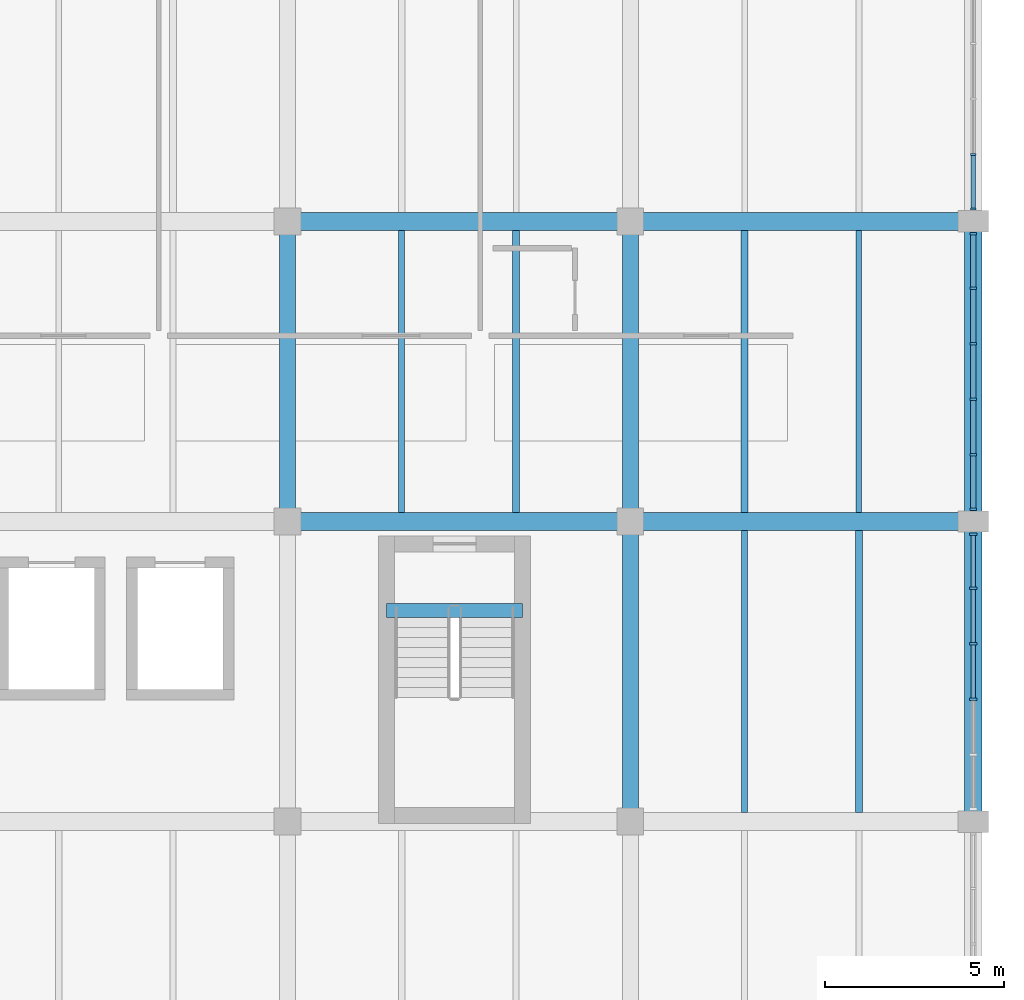
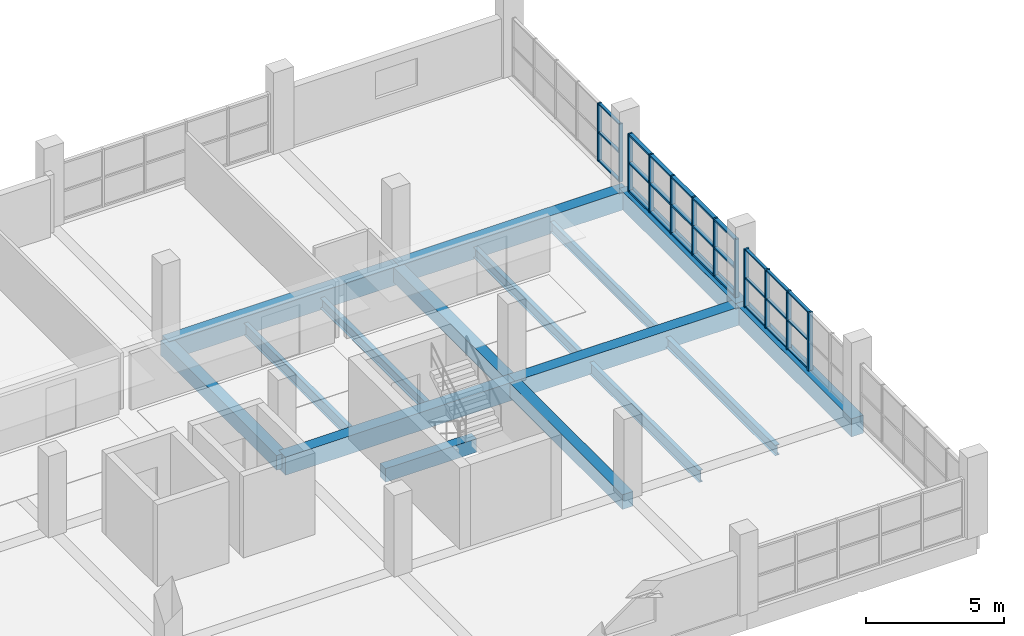
# One storey, part 84 of 147: 39 members, 16 beams, 3 elements without a shape of their own.
"""IFC4 building model written with IfcOpenShell, lengths in metres."""

from ifc_helpers import new_model, si_unit, direction, frame, origin, origin_2d, place, context, subcontext, project, spatial, rectangle, i_section, extrude, material, material_profile, profile_set, type_object, element, aggregate, save


model = new_model("IFC4")

# Units and contexts
model_context = context("Model", 3, precision=1e-05, world=origin(), true_north=direction((0.0, 1.0)))
body_context = subcontext(model_context, "Body", "Model", "MODEL_VIEW")
ifc_project = project(units=[si_unit("LENGTHUNIT", "METRE"), si_unit("AREAUNIT", "SQUARE_METRE"), si_unit("VOLUMEUNIT", "CUBIC_METRE"), si_unit("PLANEANGLEUNIT", "RADIAN"), si_unit("MASSUNIT", "GRAM", prefix="KILO")], contexts=[model_context])

# Site, building, storey
site_placement = place(None, origin())
site = spatial("IfcSite", under=ifc_project, at=site_placement, CompositionType="ELEMENT")
building_placement = place(site_placement, origin())
building = spatial("IfcBuilding", under=site, at=building_placement, Name="Oolite Switchyard Hospital", CompositionType="ELEMENT")
storey_placement = place(building_placement, frame((0.0, 0.0, 9.89990234375)))
storey = spatial("IfcBuildingStorey", under=building, at=storey_placement, Name="L02", CompositionType="ELEMENT", Elevation=9.89990234375)

# Beams
ifc_material_1 = material(Name="Concrete C40/50", Category="concrete")
ifc_material_profile_1 = material_profile(ifc_material_1, rectangle(XDim=0.39990234375, YDim=0.60009765625, at=origin_2d()), Name="RCB400X600")
ifc_profile_set_1 = profile_set([ifc_material_profile_1], Name="Concrete C40/50")
beam_type_1 = type_object("IfcBeamType", Name="BM-RC400X600", PredefinedType="BEAM", material=ifc_profile_set_1)
beam_1_placement = place(storey_placement, frame((194.77490234375, 115.110107421875, -0.2998046875), z_axis=(1.0, 0.0, 0.0), x_axis=(0.0, 1.0, 0.0)))
element("IfcBeam", 1, at=beam_1_placement, inside=storey, type_object=beam_type_1, Name="L02 ST-04 Stair Throat Trimmer Beam", PredefinedType="BEAM", context=body_context, shape_type="SweptSolid", body=[
    extrude(rectangle(XDim=0.39990234375, YDim=0.60009765625, at=origin_2d()), origin(), (0.0, 0.0, 1.0), 3.81005859375),
])
ifc_material_profile_2 = material_profile(ifc_material_1, rectangle(XDim=0.449951171875, YDim=0.64990234375, at=origin_2d()), Name="RCB450X650")
ifc_profile_set_2 = profile_set([ifc_material_profile_2], Name="Concrete C40/50")
beam_type_2 = type_object("IfcBeamType", Name="BM-RC450X650", PredefinedType="BEAM", material=ifc_profile_set_2)
beam_2_placement = place(storey_placement, frame((192.0, 117.60009765625, -0.324951171875), z_axis=(0.0, 1.0, 0.0), x_axis=(-1.0, 0.0, 0.0)))
element("IfcBeam", 2, at=beam_2_placement, inside=storey, type_object=beam_type_2, Name="L02 Y-Girder 1489", PredefinedType="BEAM", context=body_context, shape_type="SweptSolid", body=[
    extrude(rectangle(XDim=0.449951171875, YDim=0.64990234375, at=origin_2d()), origin(), (0.0, 0.0, 1.0), 8.39990234375),
])
beam_3_placement = place(storey_placement, frame((201.60009765625, 109.199951171875, -0.324951171875), z_axis=(0.0, 1.0, 0.0), x_axis=(-1.0, 0.0, 0.0)))
element("IfcBeam", 3, at=beam_3_placement, inside=storey, type_object=beam_type_2, Name="L02 Y-Girder 1500", PredefinedType="BEAM", context=body_context, shape_type="SweptSolid", body=[
    extrude(rectangle(XDim=0.449951171875, YDim=0.64990234375, at=origin_2d()), origin(), (0.0, 0.0, 1.0), 8.400146484375),
])
beam_4_placement = place(storey_placement, frame((201.60009765625, 117.60009765625, -0.324951171875), z_axis=(0.0, 1.0, 0.0), x_axis=(-1.0, 0.0, 0.0)))
element("IfcBeam", 4, at=beam_4_placement, inside=storey, type_object=beam_type_2, Name="L02 Y-Girder 1501", PredefinedType="BEAM", context=body_context, shape_type="SweptSolid", body=[
    extrude(rectangle(XDim=0.449951171875, YDim=0.64990234375, at=origin_2d()), origin(), (0.0, 0.0, 1.0), 8.39990234375),
])
ifc_material_profile_3 = material_profile(ifc_material_1, rectangle(XDim=0.5, YDim=0.800048828125, at=origin_2d()), Name="RCB500X800")
ifc_profile_set_3 = profile_set([ifc_material_profile_3], Name="Concrete C40/50")
beam_type_3 = type_object("IfcBeamType", Name="BM-RC500X800", PredefinedType="BEAM", material=ifc_profile_set_3)
beam_5_placement = place(storey_placement, frame((192.0, 117.60009765625, -0.39990234375), z_axis=(1.0, 0.0, 0.0), x_axis=(0.0, 1.0, 0.0)))
element("IfcBeam", 5, at=beam_5_placement, inside=storey, type_object=beam_type_3, Name="L02 X-Girder 1217", PredefinedType="BEAM", context=body_context, shape_type="SweptSolid", body=[
    extrude(rectangle(XDim=0.5, YDim=0.800048828125, at=origin_2d()), origin(), (0.0, 0.0, 1.0), 9.60009765625),
])
beam_6_placement = place(storey_placement, frame((201.60009765625, 117.60009765625, -0.39990234375), z_axis=(1.0, 0.0, 0.0), x_axis=(0.0, 1.0, 0.0)))
element("IfcBeam", 6, at=beam_6_placement, inside=storey, type_object=beam_type_3, Name="L02 X-Girder 1218", PredefinedType="BEAM", context=body_context, shape_type="SweptSolid", body=[
    extrude(rectangle(XDim=0.5, YDim=0.800048828125, at=origin_2d()), origin(), (0.0, 0.0, 1.0), 9.599853515625),
])
beam_7_placement = place(storey_placement, frame((192.0, 126.0, -0.39990234375), z_axis=(1.0, 0.0, 0.0), x_axis=(0.0, 1.0, 0.0)))
element("IfcBeam", 7, at=beam_7_placement, inside=storey, type_object=beam_type_3, Name="L02 X-Girder 1233", PredefinedType="BEAM", context=body_context, shape_type="SweptSolid", body=[
    extrude(rectangle(XDim=0.5, YDim=0.800048828125, at=origin_2d()), origin(), (0.0, 0.0, 1.0), 9.60009765625),
])
beam_8_placement = place(storey_placement, frame((201.60009765625, 126.0, -0.39990234375), z_axis=(1.0, 0.0, 0.0), x_axis=(0.0, 1.0, 0.0)))
element("IfcBeam", 8, at=beam_8_placement, inside=storey, type_object=beam_type_3, Name="L02 X-Girder 1234", PredefinedType="BEAM", context=body_context, shape_type="SweptSolid", body=[
    extrude(rectangle(XDim=0.5, YDim=0.800048828125, at=origin_2d()), origin(), (0.0, 0.0, 1.0), 9.599853515625),
])
beam_9_placement = place(storey_placement, frame((211.199951171875, 109.199951171875, -0.39990234375), z_axis=(0.0, 1.0, 0.0), x_axis=(-1.0, 0.0, 0.0)))
element("IfcBeam", 9, at=beam_9_placement, inside=storey, type_object=beam_type_3, Name="L02 Y-Girder 1509", PredefinedType="BEAM", context=body_context, shape_type="SweptSolid", body=[
    extrude(rectangle(XDim=0.5, YDim=0.800048828125, at=origin_2d()), origin(), (0.0, 0.0, 1.0), 8.400146484375),
])
beam_10_placement = place(storey_placement, frame((211.199951171875, 117.60009765625, -0.39990234375), z_axis=(0.0, 1.0, 0.0), x_axis=(-1.0, 0.0, 0.0)))
element("IfcBeam", 10, at=beam_10_placement, inside=storey, type_object=beam_type_3, Name="L02 Y-Girder 1510", PredefinedType="BEAM", context=body_context, shape_type="SweptSolid", body=[
    extrude(rectangle(XDim=0.5, YDim=0.800048828125, at=origin_2d()), origin(), (0.0, 0.0, 1.0), 8.39990234375),
])
ifc_material_2 = material(Name="Steel ASTM A992 Grade 50", Category="steel")
ifc_material_profile_4 = material_profile(ifc_material_2, i_section(OverallWidth=0.153076171875, OverallDepth=0.455078125, WebThickness=0.008056640625, FlangeThickness=0.012939453125, at=origin_2d()), Name="W18X40")
ifc_profile_set_4 = profile_set([ifc_material_profile_4], Name="Steel ASTM A992 Grade 50")
beam_type_4 = type_object("IfcBeamType", Name="BM-W18X40", PredefinedType="JOIST", material=ifc_profile_set_4)
beam_11_placement = place(storey_placement, frame((208.0, 117.85009765625, -0.48681640625), z_axis=(0.0, 1.0, 0.0), x_axis=(-1.0, 0.0, 0.0)))
element("IfcBeam", 11, at=beam_11_placement, inside=storey, type_object=beam_type_4, Name="L02 Secondary Steel Joist 1923", PredefinedType="JOIST", context=body_context, shape_type="SweptSolid", body=[
    extrude(i_section(OverallWidth=0.153076171875, OverallDepth=0.455078125, WebThickness=0.008056640625, FlangeThickness=0.012939453125, at=origin_2d()), origin(), (0.0, 0.0, 1.0), 7.89990234375),
])
ifc_material_profile_5 = material_profile(ifc_material_2, i_section(OverallWidth=0.19091796875, OverallDepth=0.4599609375, WebThickness=0.010009765625, FlangeThickness=0.01611328125, at=origin_2d()), Name="W18X55")
ifc_profile_set_5 = profile_set([ifc_material_profile_5], Name="Steel ASTM A992 Grade 50")
beam_type_5 = type_object("IfcBeamType", Name="BM-W18X55", PredefinedType="JOIST", material=ifc_profile_set_5)
beam_12_placement = place(storey_placement, frame((198.39990234375, 117.85009765625, -0.489990234375), z_axis=(0.0, 1.0, 0.0), x_axis=(-1.0, 0.0, 0.0)))
element("IfcBeam", 12, at=beam_12_placement, inside=storey, type_object=beam_type_5, Name="L02 Secondary Steel Joist 1907", PredefinedType="JOIST", context=body_context, shape_type="SweptSolid", body=[
    extrude(i_section(OverallWidth=0.19091796875, OverallDepth=0.4599609375, WebThickness=0.010009765625, FlangeThickness=0.01611328125, at=origin_2d()), origin(), (0.0, 0.0, 1.0), 7.89990234375),
])
beam_13_placement = place(storey_placement, frame((208.0, 109.449951171875, -0.489990234375), z_axis=(0.0, 1.0, 0.0), x_axis=(-1.0, 0.0, 0.0)))
element("IfcBeam", 13, at=beam_13_placement, inside=storey, type_object=beam_type_5, Name="L02 Secondary Steel Joist 1921", PredefinedType="JOIST", context=body_context, shape_type="SweptSolid", body=[
    extrude(i_section(OverallWidth=0.19091796875, OverallDepth=0.4599609375, WebThickness=0.010009765625, FlangeThickness=0.01611328125, at=origin_2d()), origin(), (0.0, 0.0, 1.0), 7.900146484375),
])
beam_14_placement = place(storey_placement, frame((204.800048828125, 117.85009765625, -0.489990234375), z_axis=(0.0, 1.0, 0.0), x_axis=(-1.0, 0.0, 0.0)))
element("IfcBeam", 14, at=beam_14_placement, inside=storey, type_object=beam_type_5, Name="L02 Secondary Steel Joist 1922", PredefinedType="JOIST", context=body_context, shape_type="SweptSolid", body=[
    extrude(i_section(OverallWidth=0.19091796875, OverallDepth=0.4599609375, WebThickness=0.010009765625, FlangeThickness=0.01611328125, at=origin_2d()), origin(), (0.0, 0.0, 1.0), 7.89990234375),
])
ifc_material_profile_6 = material_profile(ifc_material_2, i_section(OverallWidth=0.166015625, OverallDepth=0.529052734375, WebThickness=0.010009765625, FlangeThickness=0.013916015625, at=origin_2d()), Name="W21X50")
ifc_profile_set_6 = profile_set([ifc_material_profile_6], Name="Steel ASTM A992 Grade 50")
beam_type_6 = type_object("IfcBeamType", Name="BM-W21X50", PredefinedType="JOIST", material=ifc_profile_set_6)
beam_15_placement = place(storey_placement, frame((195.199951171875, 117.85009765625, -0.52392578125), z_axis=(0.0, 1.0, 0.0), x_axis=(-1.0, 0.0, 0.0)))
element("IfcBeam", 15, at=beam_15_placement, inside=storey, type_object=beam_type_6, Name="L02 Secondary Steel Joist 1906", PredefinedType="JOIST", context=body_context, shape_type="SweptSolid", body=[
    extrude(i_section(OverallWidth=0.166015625, OverallDepth=0.529052734375, WebThickness=0.010009765625, FlangeThickness=0.013916015625, at=origin_2d()), origin(), (0.0, 0.0, 1.0), 7.89990234375),
])
beam_16_placement = place(storey_placement, frame((204.800048828125, 109.449951171875, -0.52392578125), z_axis=(0.0, 1.0, 0.0), x_axis=(-1.0, 0.0, 0.0)))
element("IfcBeam", 16, at=beam_16_placement, inside=storey, type_object=beam_type_6, Name="L02 Secondary Steel Joist 1920", PredefinedType="JOIST", context=body_context, shape_type="SweptSolid", body=[
    extrude(i_section(OverallWidth=0.166015625, OverallDepth=0.529052734375, WebThickness=0.010009765625, FlangeThickness=0.013916015625, at=origin_2d()), origin(), (0.0, 0.0, 1.0), 7.900146484375),
])

# Curtain wall, members
ifc_material_3 = material(Name="Thermally broken aluminum frame with laminated impact glazing", Category="aluminium")
curtain_wall_type = type_object("IfcCurtainWallType", Name="CW-UNIT-84X36", PredefinedType="USERDEFINED", material=ifc_material_3)
curtain_wall_1_placement = place(storey_placement, origin())
curtain_wall_1 = element("IfcCurtainWall", 17, at=curtain_wall_1_placement, inside=storey, type_object=curtain_wall_type, Name="L02 Unitised Curtain Wall 322", ObjectType="UNITISED", PredefinedType="USERDEFINED")
ifc_material_4 = material(Name="Aluminium 6063-T6", Category="aluminium")
ifc_material_profile_7 = material_profile(ifc_material_4, rectangle(XDim=0.159912109375, YDim=0.06005859375, at=origin_2d()), Name="CWM60X160")
ifc_profile_set_7 = profile_set([ifc_material_profile_7], Name="Aluminium 6063-T6")
member_type_1 = type_object("IfcMemberType", Name="CW-MUL-180", PredefinedType="MULLION", material=ifc_profile_set_7)
member_1_placement = place(storey_placement, frame((211.199951171875, 127.868896484375, 0.0), z_axis=(0.0, 0.0, 1.0), x_axis=(1.0, 0.0, 0.0)))
member_1 = element("IfcMember", 18, at=member_1_placement, type_object=member_type_1, Name="CW-08 mullion 5", PredefinedType="MULLION", context=body_context, shape_type="SweptSolid", body=[
    extrude(rectangle(XDim=0.159912109375, YDim=0.06005859375, at=origin_2d()), origin(), (0.0, 0.0, 1.0), 2.570068359375),
])
member_2_placement = place(storey_placement, frame((211.199951171875, 126.344970703125, 0.0), z_axis=(0.0, 0.0, 1.0), x_axis=(1.0, 0.0, 0.0)))
member_2 = element("IfcMember", 19, at=member_2_placement, type_object=member_type_1, Name="CW-08 mullion 6", PredefinedType="MULLION", context=body_context, shape_type="SweptSolid", body=[
    extrude(rectangle(XDim=0.159912109375, YDim=0.06005859375, at=origin_2d()), origin(), (0.0, 0.0, 1.0), 2.570068359375),
])

curtain_wall_2_placement = place(storey_placement, origin())
curtain_wall_2 = element("IfcCurtainWall", 20, at=curtain_wall_2_placement, inside=storey, type_object=curtain_wall_type, Name="L02 Unitised Curtain Wall 323", ObjectType="UNITISED", PredefinedType="USERDEFINED")
ifc_material_profile_8 = material_profile(ifc_material_4, rectangle(XDim=0.179931640625, YDim=0.070068359375, at=origin_2d()), Name="CWM70X180")
ifc_profile_set_8 = profile_set([ifc_material_profile_8], Name="Aluminium 6063-T6")
member_type_2 = type_object("IfcMemberType", Name="CW-MUL-220", PredefinedType="MULLION", material=ifc_profile_set_8)
member_3_placement = place(storey_placement, frame((211.199951171875, 125.64990234375, 0.0), z_axis=(0.0, 0.0, 1.0), x_axis=(1.0, 0.0, 0.0)))
member_3 = element("IfcMember", 21, at=member_3_placement, type_object=member_type_2, Name="CW-08 mullion 1", PredefinedType="MULLION", context=body_context, shape_type="SweptSolid", body=[
    extrude(rectangle(XDim=0.179931640625, YDim=0.070068359375, at=origin_2d()), origin(), (0.0, 0.0, 1.0), 2.570068359375),
])
member_4_placement = place(storey_placement, frame((211.199951171875, 124.131103515625, 0.0), z_axis=(0.0, 0.0, 1.0), x_axis=(1.0, 0.0, 0.0)))
member_4 = element("IfcMember", 22, at=member_4_placement, type_object=member_type_2, Name="CW-08 mullion 2", PredefinedType="MULLION", context=body_context, shape_type="SweptSolid", body=[
    extrude(rectangle(XDim=0.179931640625, YDim=0.070068359375, at=origin_2d()), origin(), (0.0, 0.0, 1.0), 2.570068359375),
])
member_5_placement = place(storey_placement, frame((211.199951171875, 122.576904296875, 0.0), z_axis=(0.0, 0.0, 1.0), x_axis=(1.0, 0.0, 0.0)))
member_5 = element("IfcMember", 23, at=member_5_placement, type_object=member_type_2, Name="CW-08 mullion 3", PredefinedType="MULLION", context=body_context, shape_type="SweptSolid", body=[
    extrude(rectangle(XDim=0.179931640625, YDim=0.070068359375, at=origin_2d()), origin(), (0.0, 0.0, 1.0), 2.570068359375),
])
member_6_placement = place(storey_placement, frame((211.199951171875, 121.02294921875, 0.0), z_axis=(0.0, 0.0, 1.0), x_axis=(1.0, 0.0, 0.0)))
member_6 = element("IfcMember", 24, at=member_6_placement, type_object=member_type_2, Name="CW-08 mullion 4", PredefinedType="MULLION", context=body_context, shape_type="SweptSolid", body=[
    extrude(rectangle(XDim=0.179931640625, YDim=0.070068359375, at=origin_2d()), origin(), (0.0, 0.0, 1.0), 2.570068359375),
])
member_7_placement = place(storey_placement, frame((211.199951171875, 119.468994140625, 0.0), z_axis=(0.0, 0.0, 1.0), x_axis=(1.0, 0.0, 0.0)))
member_7 = element("IfcMember", 25, at=member_7_placement, type_object=member_type_2, Name="CW-08 mullion 5", PredefinedType="MULLION", context=body_context, shape_type="SweptSolid", body=[
    extrude(rectangle(XDim=0.179931640625, YDim=0.070068359375, at=origin_2d()), origin(), (0.0, 0.0, 1.0), 2.570068359375),
])
member_8_placement = place(storey_placement, frame((211.199951171875, 117.949951171875, 0.0), z_axis=(0.0, 0.0, 1.0), x_axis=(1.0, 0.0, 0.0)))
member_8 = element("IfcMember", 26, at=member_8_placement, type_object=member_type_2, Name="CW-08 mullion 6", PredefinedType="MULLION", context=body_context, shape_type="SweptSolid", body=[
    extrude(rectangle(XDim=0.179931640625, YDim=0.070068359375, at=origin_2d()), origin(), (0.0, 0.0, 1.0), 2.570068359375),
])

curtain_wall_3_placement = place(storey_placement, origin())
curtain_wall_3 = element("IfcCurtainWall", 27, at=curtain_wall_3_placement, inside=storey, type_object=curtain_wall_type, Name="L02 Unitised Curtain Wall 324", ObjectType="UNITISED", PredefinedType="USERDEFINED")
ifc_material_profile_9 = material_profile(ifc_material_4, rectangle(XDim=0.199951171875, YDim=0.074951171875, at=origin_2d()), Name="CWM75X200")
ifc_profile_set_9 = profile_set([ifc_material_profile_9], Name="Aluminium 6063-T6")
member_type_3 = type_object("IfcMemberType", Name="CW-MUL-260", PredefinedType="MULLION", material=ifc_profile_set_9)
member_9_placement = place(storey_placement, frame((211.199951171875, 117.24755859375, 0.0), z_axis=(0.0, 0.0, 1.0), x_axis=(1.0, 0.0, 0.0)))
member_9 = element("IfcMember", 28, at=member_9_placement, type_object=member_type_3, Name="CW-08 mullion 1", PredefinedType="MULLION", context=body_context, shape_type="SweptSolid", body=[
    extrude(rectangle(XDim=0.199951171875, YDim=0.074951171875, at=origin_2d()), origin(), (0.0, 0.0, 1.0), 2.570068359375),
])
member_10_placement = place(storey_placement, frame((211.199951171875, 115.73095703125, 0.0), z_axis=(0.0, 0.0, 1.0), x_axis=(1.0, 0.0, 0.0)))
member_10 = element("IfcMember", 29, at=member_10_placement, type_object=member_type_3, Name="CW-08 mullion 2", PredefinedType="MULLION", context=body_context, shape_type="SweptSolid", body=[
    extrude(rectangle(XDim=0.199951171875, YDim=0.074951171875, at=origin_2d()), origin(), (0.0, 0.0, 1.0), 2.570068359375),
])
member_11_placement = place(storey_placement, frame((211.199951171875, 114.177001953125, 0.0), z_axis=(0.0, 0.0, 1.0), x_axis=(1.0, 0.0, 0.0)))
member_11 = element("IfcMember", 30, at=member_11_placement, type_object=member_type_3, Name="CW-08 mullion 3", PredefinedType="MULLION", context=body_context, shape_type="SweptSolid", body=[
    extrude(rectangle(XDim=0.199951171875, YDim=0.074951171875, at=origin_2d()), origin(), (0.0, 0.0, 1.0), 2.570068359375),
])
member_12_placement = place(storey_placement, frame((211.199951171875, 112.623046875, 0.0), z_axis=(0.0, 0.0, 1.0), x_axis=(1.0, 0.0, 0.0)))
member_12 = element("IfcMember", 31, at=member_12_placement, type_object=member_type_3, Name="CW-08 mullion 4", PredefinedType="MULLION", context=body_context, shape_type="SweptSolid", body=[
    extrude(rectangle(XDim=0.199951171875, YDim=0.074951171875, at=origin_2d()), origin(), (0.0, 0.0, 1.0), 2.570068359375),
])

# Member
ifc_material_profile_10 = material_profile(ifc_material_4, rectangle(XDim=0.1201171875, YDim=0.06005859375, at=origin_2d()), Name="CWT60X120")
ifc_profile_set_10 = profile_set([ifc_material_profile_10], Name="Aluminium 6063-T6")
member_type_4 = type_object("IfcMemberType", Name="CW-TRN-150", PredefinedType="USERDEFINED", material=ifc_profile_set_10)
member_13_placement = place(storey_placement, frame((211.199951171875, 127.839111328125, 0.030029296875), z_axis=(0.0, -1.0, 0.0), x_axis=(1.0, 0.0, 0.0)))
member_13 = element("IfcMember", 32, at=member_13_placement, type_object=member_type_4, Name="CW-08 transom 5.1", ObjectType="TRANSOM", PredefinedType="USERDEFINED", context=body_context, shape_type="SweptSolid", body=[
    extrude(rectangle(XDim=0.1201171875, YDim=0.06005859375, at=origin_2d()), origin(), (0.0, 0.0, 1.0), 1.464111328125),
])

member_14_placement = place(storey_placement, frame((211.199951171875, 127.839111328125, 1.28515625), z_axis=(0.0, -1.0, 0.0), x_axis=(1.0, 0.0, 0.0)))
member_14 = element("IfcMember", 33, at=member_14_placement, type_object=member_type_4, Name="CW-08 transom 5.2", ObjectType="TRANSOM", PredefinedType="USERDEFINED", context=body_context, shape_type="SweptSolid", body=[
    extrude(rectangle(XDim=0.1201171875, YDim=0.06005859375, at=origin_2d()), origin(), (0.0, 0.0, 1.0), 1.464111328125),
])

member_15_placement = place(storey_placement, frame((211.199951171875, 127.839111328125, 2.5400390625), z_axis=(0.0, -1.0, 0.0), x_axis=(1.0, 0.0, 0.0)))
member_15 = element("IfcMember", 34, at=member_15_placement, type_object=member_type_4, Name="CW-08 transom 5.3", ObjectType="TRANSOM", PredefinedType="USERDEFINED", context=body_context, shape_type="SweptSolid", body=[
    extrude(rectangle(XDim=0.1201171875, YDim=0.06005859375, at=origin_2d()), origin(), (0.0, 0.0, 1.0), 1.464111328125),
])

aggregate(curtain_wall_1, [member_1, member_2, member_13, member_14, member_15])

member_16_placement = place(storey_placement, frame((211.199951171875, 117.2099609375, 0.030029296875), z_axis=(0.0, -1.0, 0.0), x_axis=(1.0, 0.0, 0.0)))
member_16 = element("IfcMember", 35, at=member_16_placement, type_object=member_type_4, Name="CW-08 transom 1.1", ObjectType="TRANSOM", PredefinedType="USERDEFINED", context=body_context, shape_type="SweptSolid", body=[
    extrude(rectangle(XDim=0.1201171875, YDim=0.06005859375, at=origin_2d()), origin(), (0.0, 0.0, 1.0), 1.44140625),
])

member_17_placement = place(storey_placement, frame((211.199951171875, 117.2099609375, 1.28515625), z_axis=(0.0, -1.0, 0.0), x_axis=(1.0, 0.0, 0.0)))
member_17 = element("IfcMember", 36, at=member_17_placement, type_object=member_type_4, Name="CW-08 transom 1.2", ObjectType="TRANSOM", PredefinedType="USERDEFINED", context=body_context, shape_type="SweptSolid", body=[
    extrude(rectangle(XDim=0.1201171875, YDim=0.06005859375, at=origin_2d()), origin(), (0.0, 0.0, 1.0), 1.44140625),
])

member_18_placement = place(storey_placement, frame((211.199951171875, 117.2099609375, 2.5400390625), z_axis=(0.0, -1.0, 0.0), x_axis=(1.0, 0.0, 0.0)))
member_18 = element("IfcMember", 37, at=member_18_placement, type_object=member_type_4, Name="CW-08 transom 1.3", ObjectType="TRANSOM", PredefinedType="USERDEFINED", context=body_context, shape_type="SweptSolid", body=[
    extrude(rectangle(XDim=0.1201171875, YDim=0.06005859375, at=origin_2d()), origin(), (0.0, 0.0, 1.0), 1.44140625),
])

member_19_placement = place(storey_placement, frame((211.199951171875, 115.693603515625, 0.030029296875), z_axis=(0.0, -1.0, 0.0), x_axis=(1.0, 0.0, 0.0)))
member_19 = element("IfcMember", 38, at=member_19_placement, type_object=member_type_4, Name="CW-08 transom 2.1", ObjectType="TRANSOM", PredefinedType="USERDEFINED", context=body_context, shape_type="SweptSolid", body=[
    extrude(rectangle(XDim=0.1201171875, YDim=0.06005859375, at=origin_2d()), origin(), (0.0, 0.0, 1.0), 1.47900390625),
])

member_20_placement = place(storey_placement, frame((211.199951171875, 115.693603515625, 1.28515625), z_axis=(0.0, -1.0, 0.0), x_axis=(1.0, 0.0, 0.0)))
member_20 = element("IfcMember", 39, at=member_20_placement, type_object=member_type_4, Name="CW-08 transom 2.2", ObjectType="TRANSOM", PredefinedType="USERDEFINED", context=body_context, shape_type="SweptSolid", body=[
    extrude(rectangle(XDim=0.1201171875, YDim=0.06005859375, at=origin_2d()), origin(), (0.0, 0.0, 1.0), 1.47900390625),
])

member_21_placement = place(storey_placement, frame((211.199951171875, 115.693603515625, 2.5400390625), z_axis=(0.0, -1.0, 0.0), x_axis=(1.0, 0.0, 0.0)))
member_21 = element("IfcMember", 40, at=member_21_placement, type_object=member_type_4, Name="CW-08 transom 2.3", ObjectType="TRANSOM", PredefinedType="USERDEFINED", context=body_context, shape_type="SweptSolid", body=[
    extrude(rectangle(XDim=0.1201171875, YDim=0.06005859375, at=origin_2d()), origin(), (0.0, 0.0, 1.0), 1.47900390625),
])

member_22_placement = place(storey_placement, frame((211.199951171875, 114.139404296875, 0.030029296875), z_axis=(0.0, -1.0, 0.0), x_axis=(1.0, 0.0, 0.0)))
member_22 = element("IfcMember", 41, at=member_22_placement, type_object=member_type_4, Name="CW-08 transom 3.1", ObjectType="TRANSOM", PredefinedType="USERDEFINED", context=body_context, shape_type="SweptSolid", body=[
    extrude(rectangle(XDim=0.1201171875, YDim=0.06005859375, at=origin_2d()), origin(), (0.0, 0.0, 1.0), 1.47900390625),
])

member_23_placement = place(storey_placement, frame((211.199951171875, 114.139404296875, 1.28515625), z_axis=(0.0, -1.0, 0.0), x_axis=(1.0, 0.0, 0.0)))
member_23 = element("IfcMember", 42, at=member_23_placement, type_object=member_type_4, Name="CW-08 transom 3.2", ObjectType="TRANSOM", PredefinedType="USERDEFINED", context=body_context, shape_type="SweptSolid", body=[
    extrude(rectangle(XDim=0.1201171875, YDim=0.06005859375, at=origin_2d()), origin(), (0.0, 0.0, 1.0), 1.47900390625),
])

member_24_placement = place(storey_placement, frame((211.199951171875, 114.139404296875, 2.5400390625), z_axis=(0.0, -1.0, 0.0), x_axis=(1.0, 0.0, 0.0)))
member_24 = element("IfcMember", 43, at=member_24_placement, type_object=member_type_4, Name="CW-08 transom 3.3", ObjectType="TRANSOM", PredefinedType="USERDEFINED", context=body_context, shape_type="SweptSolid", body=[
    extrude(rectangle(XDim=0.1201171875, YDim=0.06005859375, at=origin_2d()), origin(), (0.0, 0.0, 1.0), 1.47900390625),
])

aggregate(curtain_wall_3, [member_9, member_10, member_11, member_12, member_16, member_17, member_18, member_19, member_20, member_21, member_22, member_23, member_24])

ifc_material_profile_11 = material_profile(ifc_material_4, rectangle(XDim=0.159912109375, YDim=0.074951171875, at=origin_2d()), Name="CWT75X160")
ifc_profile_set_11 = profile_set([ifc_material_profile_11], Name="Aluminium 6063-T6")
member_type_5 = type_object("IfcMemberType", Name="CW-TRN-180", PredefinedType="USERDEFINED", material=ifc_profile_set_11)
member_25_placement = place(storey_placement, frame((211.199951171875, 125.614990234375, 0.03759765625), z_axis=(0.0, -1.0, 0.0), x_axis=(1.0, 0.0, 0.0)))
member_25 = element("IfcMember", 44, at=member_25_placement, type_object=member_type_5, Name="CW-08 transom 1.1", ObjectType="TRANSOM", PredefinedType="USERDEFINED", context=body_context, shape_type="SweptSolid", body=[
    extrude(rectangle(XDim=0.159912109375, YDim=0.074951171875, at=origin_2d()), origin(), (0.0, 0.0, 1.0), 1.448974609375),
])

member_26_placement = place(storey_placement, frame((211.199951171875, 125.614990234375, 1.28515625), z_axis=(0.0, -1.0, 0.0), x_axis=(1.0, 0.0, 0.0)))
member_26 = element("IfcMember", 45, at=member_26_placement, type_object=member_type_5, Name="CW-08 transom 1.2", ObjectType="TRANSOM", PredefinedType="USERDEFINED", context=body_context, shape_type="SweptSolid", body=[
    extrude(rectangle(XDim=0.159912109375, YDim=0.074951171875, at=origin_2d()), origin(), (0.0, 0.0, 1.0), 1.448974609375),
])

member_27_placement = place(storey_placement, frame((211.199951171875, 125.614990234375, 2.53271484375), z_axis=(0.0, -1.0, 0.0), x_axis=(1.0, 0.0, 0.0)))
member_27 = element("IfcMember", 46, at=member_27_placement, type_object=member_type_5, Name="CW-08 transom 1.3", ObjectType="TRANSOM", PredefinedType="USERDEFINED", context=body_context, shape_type="SweptSolid", body=[
    extrude(rectangle(XDim=0.159912109375, YDim=0.074951171875, at=origin_2d()), origin(), (0.0, 0.0, 1.0), 1.448974609375),
])

member_28_placement = place(storey_placement, frame((211.199951171875, 124.095947265625, 0.03759765625), z_axis=(0.0, -1.0, 0.0), x_axis=(1.0, 0.0, 0.0)))
member_28 = element("IfcMember", 47, at=member_28_placement, type_object=member_type_5, Name="CW-08 transom 2.1", ObjectType="TRANSOM", PredefinedType="USERDEFINED", context=body_context, shape_type="SweptSolid", body=[
    extrude(rectangle(XDim=0.159912109375, YDim=0.074951171875, at=origin_2d()), origin(), (0.0, 0.0, 1.0), 1.48388671875),
])

member_29_placement = place(storey_placement, frame((211.199951171875, 124.095947265625, 1.28515625), z_axis=(0.0, -1.0, 0.0), x_axis=(1.0, 0.0, 0.0)))
member_29 = element("IfcMember", 48, at=member_29_placement, type_object=member_type_5, Name="CW-08 transom 2.2", ObjectType="TRANSOM", PredefinedType="USERDEFINED", context=body_context, shape_type="SweptSolid", body=[
    extrude(rectangle(XDim=0.159912109375, YDim=0.074951171875, at=origin_2d()), origin(), (0.0, 0.0, 1.0), 1.48388671875),
])

member_30_placement = place(storey_placement, frame((211.199951171875, 124.095947265625, 2.53271484375), z_axis=(0.0, -1.0, 0.0), x_axis=(1.0, 0.0, 0.0)))
member_30 = element("IfcMember", 49, at=member_30_placement, type_object=member_type_5, Name="CW-08 transom 2.3", ObjectType="TRANSOM", PredefinedType="USERDEFINED", context=body_context, shape_type="SweptSolid", body=[
    extrude(rectangle(XDim=0.159912109375, YDim=0.074951171875, at=origin_2d()), origin(), (0.0, 0.0, 1.0), 1.48388671875),
])

member_31_placement = place(storey_placement, frame((211.199951171875, 122.5419921875, 0.03759765625), z_axis=(0.0, -1.0, 0.0), x_axis=(1.0, 0.0, 0.0)))
member_31 = element("IfcMember", 50, at=member_31_placement, type_object=member_type_5, Name="CW-08 transom 3.1", ObjectType="TRANSOM", PredefinedType="USERDEFINED", context=body_context, shape_type="SweptSolid", body=[
    extrude(rectangle(XDim=0.159912109375, YDim=0.074951171875, at=origin_2d()), origin(), (0.0, 0.0, 1.0), 1.48388671875),
])

member_32_placement = place(storey_placement, frame((211.199951171875, 122.5419921875, 1.28515625), z_axis=(0.0, -1.0, 0.0), x_axis=(1.0, 0.0, 0.0)))
member_32 = element("IfcMember", 51, at=member_32_placement, type_object=member_type_5, Name="CW-08 transom 3.2", ObjectType="TRANSOM", PredefinedType="USERDEFINED", context=body_context, shape_type="SweptSolid", body=[
    extrude(rectangle(XDim=0.159912109375, YDim=0.074951171875, at=origin_2d()), origin(), (0.0, 0.0, 1.0), 1.48388671875),
])

member_33_placement = place(storey_placement, frame((211.199951171875, 122.5419921875, 2.53271484375), z_axis=(0.0, -1.0, 0.0), x_axis=(1.0, 0.0, 0.0)))
member_33 = element("IfcMember", 52, at=member_33_placement, type_object=member_type_5, Name="CW-08 transom 3.3", ObjectType="TRANSOM", PredefinedType="USERDEFINED", context=body_context, shape_type="SweptSolid", body=[
    extrude(rectangle(XDim=0.159912109375, YDim=0.074951171875, at=origin_2d()), origin(), (0.0, 0.0, 1.0), 1.48388671875),
])

member_34_placement = place(storey_placement, frame((211.199951171875, 120.988037109375, 0.03759765625), z_axis=(0.0, -1.0, 0.0), x_axis=(1.0, 0.0, 0.0)))
member_34 = element("IfcMember", 53, at=member_34_placement, type_object=member_type_5, Name="CW-08 transom 4.1", ObjectType="TRANSOM", PredefinedType="USERDEFINED", context=body_context, shape_type="SweptSolid", body=[
    extrude(rectangle(XDim=0.159912109375, YDim=0.074951171875, at=origin_2d()), origin(), (0.0, 0.0, 1.0), 1.484130859375),
])

member_35_placement = place(storey_placement, frame((211.199951171875, 120.988037109375, 1.28515625), z_axis=(0.0, -1.0, 0.0), x_axis=(1.0, 0.0, 0.0)))
member_35 = element("IfcMember", 54, at=member_35_placement, type_object=member_type_5, Name="CW-08 transom 4.2", ObjectType="TRANSOM", PredefinedType="USERDEFINED", context=body_context, shape_type="SweptSolid", body=[
    extrude(rectangle(XDim=0.159912109375, YDim=0.074951171875, at=origin_2d()), origin(), (0.0, 0.0, 1.0), 1.484130859375),
])

member_36_placement = place(storey_placement, frame((211.199951171875, 120.988037109375, 2.53271484375), z_axis=(0.0, -1.0, 0.0), x_axis=(1.0, 0.0, 0.0)))
member_36 = element("IfcMember", 55, at=member_36_placement, type_object=member_type_5, Name="CW-08 transom 4.3", ObjectType="TRANSOM", PredefinedType="USERDEFINED", context=body_context, shape_type="SweptSolid", body=[
    extrude(rectangle(XDim=0.159912109375, YDim=0.074951171875, at=origin_2d()), origin(), (0.0, 0.0, 1.0), 1.484130859375),
])

member_37_placement = place(storey_placement, frame((211.199951171875, 119.43408203125, 0.03759765625), z_axis=(0.0, -1.0, 0.0), x_axis=(1.0, 0.0, 0.0)))
member_37 = element("IfcMember", 56, at=member_37_placement, type_object=member_type_5, Name="CW-08 transom 5.1", ObjectType="TRANSOM", PredefinedType="USERDEFINED", context=body_context, shape_type="SweptSolid", body=[
    extrude(rectangle(XDim=0.159912109375, YDim=0.074951171875, at=origin_2d()), origin(), (0.0, 0.0, 1.0), 1.448974609375),
])

member_38_placement = place(storey_placement, frame((211.199951171875, 119.43408203125, 1.28515625), z_axis=(0.0, -1.0, 0.0), x_axis=(1.0, 0.0, 0.0)))
member_38 = element("IfcMember", 57, at=member_38_placement, type_object=member_type_5, Name="CW-08 transom 5.2", ObjectType="TRANSOM", PredefinedType="USERDEFINED", context=body_context, shape_type="SweptSolid", body=[
    extrude(rectangle(XDim=0.159912109375, YDim=0.074951171875, at=origin_2d()), origin(), (0.0, 0.0, 1.0), 1.448974609375),
])

member_39_placement = place(storey_placement, frame((211.199951171875, 119.43408203125, 2.53271484375), z_axis=(0.0, -1.0, 0.0), x_axis=(1.0, 0.0, 0.0)))
member_39 = element("IfcMember", 58, at=member_39_placement, type_object=member_type_5, Name="CW-08 transom 5.3", ObjectType="TRANSOM", PredefinedType="USERDEFINED", context=body_context, shape_type="SweptSolid", body=[
    extrude(rectangle(XDim=0.159912109375, YDim=0.074951171875, at=origin_2d()), origin(), (0.0, 0.0, 1.0), 1.448974609375),
])

aggregate(curtain_wall_2, [member_3, member_4, member_5, member_6, member_7, member_8, member_25, member_26, member_27, member_28, member_29, member_30, member_31, member_32, member_33, member_34, member_35, member_36, member_37, member_38, member_39])

save(model, "model.ifc")
